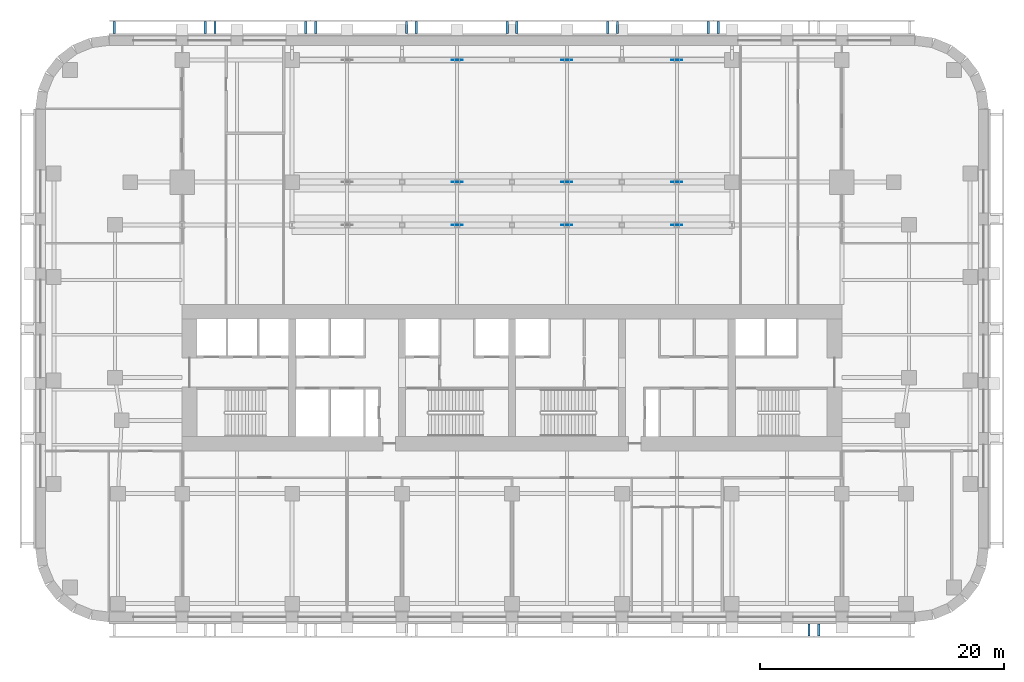
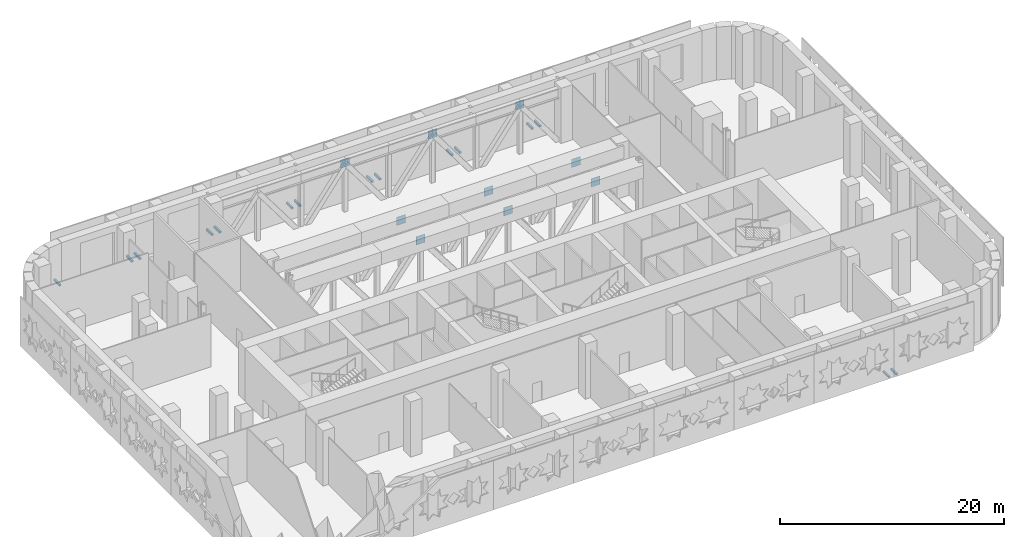
# One storey, part 11 of 15: 24 discrete accessories.
"""IFC4 building model written with IfcOpenShell, lengths in metres."""

from ifc_helpers import new_model, si_unit, direction, frame, origin, origin_2d, place, context, subcontext, project, spatial, rectangle, extrude, material, type_object, element, save


model = new_model("IFC4")

# Units and contexts
model_context = context("Model", 3, precision=1e-05, world=origin(), true_north=direction((0.0, 1.0)))
body_context = subcontext(model_context, "Body", "Model", "MODEL_VIEW")
ifc_project = project(units=[si_unit("LENGTHUNIT", "METRE"), si_unit("AREAUNIT", "SQUARE_METRE"), si_unit("VOLUMEUNIT", "CUBIC_METRE"), si_unit("PLANEANGLEUNIT", "RADIAN"), si_unit("MASSUNIT", "GRAM", prefix="KILO")], contexts=[model_context])

# Site, building, storey
site_placement = place(None, origin())
site = spatial("IfcSite", under=ifc_project, at=site_placement, CompositionType="ELEMENT")
building_placement = place(site_placement, origin())
building = spatial("IfcBuilding", under=site, at=building_placement, Name="Zellij Exchange Tower", CompositionType="ELEMENT")
storey_placement = place(building_placement, frame((0.0, 0.0, 33.0)))
storey = spatial("IfcBuildingStorey", under=building, at=storey_placement, Name="L05", CompositionType="ELEMENT", Elevation=33.0)

# Discrete accessories
ifc_material = material(Name="Stainless steel", Category="steel")
discrete_accessory_type = type_object("IfcDiscreteAccessoryType", Name="ENV-BR1 Stone panel bracket 200", PredefinedType="USERDEFINED", material=ifc_material)
for number, where, z_axis, x_axis, name in (
    (1, (24.310791015625, -28.64990234375, 0.2998046875), (0.0, 0.0, 1.0), (1.0, 0.0, 0.0), "Panel bracket"),
    (2, (25.110595703125, -28.64990234375, 0.2998046875), (0.0, 0.0, 1.0), (1.0, 0.0, 0.0), "Panel bracket"),
    (3, (16.873779296875, 20.64990234375, 0.2998046875), (0.0, 0.0, 1.0), (-1.0, 0.0, 0.0), "Panel bracket"),
    (4, (16.07373046875, 20.64990234375, 0.2998046875), (0.0, 0.0, 1.0), (-1.0, 0.0, 0.0), "Panel bracket"),
    (5, (8.636962890625, 20.64990234375, 0.2998046875), (0.0, 0.0, 1.0), (-1.0, 0.0, 0.0), "Panel bracket"),
    (6, (7.8369140625, 20.64990234375, 0.2998046875), (0.0, 0.0, 1.0), (-1.0, 0.0, 0.0), "Panel bracket"),
    (7, (0.39990234375, 20.64990234375, 0.2998046875), (0.0, 0.0, 1.0), (-1.0, 0.0, 0.0), "Panel bracket"),
    (8, (-0.39990234375, 20.64990234375, 0.2998046875), (0.0, 0.0, 1.0), (-1.0, 0.0, 0.0), "Panel bracket"),
    (9, (-7.8369140625, 20.64990234375, 0.2998046875), (0.0, 0.0, 1.0), (-1.0, 0.0, 0.0), "Panel bracket"),
    (10, (-8.636962890625, 20.64990234375, 0.2998046875), (0.0, 0.0, 1.0), (-1.0, 0.0, 0.0), "Panel bracket"),
    (11, (-16.07373046875, 20.64990234375, 0.2998046875), (0.0, 0.0, 1.0), (-1.0, 0.0, 0.0), "Panel bracket"),
    (12, (-16.873779296875, 20.64990234375, 0.2998046875), (0.0, 0.0, 1.0), (-1.0, 0.0, 0.0), "Panel bracket"),
    (13, (-24.310791015625, 20.64990234375, 0.2998046875), (0.0, 0.0, 1.0), (-1.0, 0.0, 0.0), "Panel bracket"),
    (14, (-25.110595703125, 20.64990234375, 0.2998046875), (0.0, 0.0, 1.0), (-1.0, 0.0, 0.0), "Panel bracket"),
    (15, (-32.547607421875, 20.64990234375, 0.2998046875), (0.0, 0.0, 1.0), (-1.0, 0.0, 0.0), "Panel bracket"),
):
    element("IfcDiscreteAccessory", number, at=place(storey_placement, frame(where, z_axis=z_axis, x_axis=x_axis)), inside=storey, type_object=discrete_accessory_type, Name=name, ObjectType="BRACKET", PredefinedType="USERDEFINED", context=body_context, shape_type="SweptSolid", body=[
        extrude(rectangle(XDim=0.199951171875, YDim=1.0, at=origin_2d()), origin(), (0.0, 0.0, 1.0), 0.199951171875),
    ])
for number, where, z_axis, x_axis, name in (
    (16, (-4.5, 4.5, 4.60009765625), (0.0, 0.0, 1.0), (1.0, 0.0, 0.0), "Gusset plate"),
    (17, (4.5, 4.5, 4.60009765625), (0.0, 0.0, 1.0), (1.0, 0.0, 0.0), "Gusset plate"),
    (18, (13.5, 4.5, 4.60009765625), (0.0, 0.0, 1.0), (1.0, 0.0, 0.0), "Gusset plate"),
    (19, (-4.5, 8.0, 4.60009765625), (0.0, 0.0, 1.0), (1.0, 0.0, 0.0), "Gusset plate"),
    (20, (4.5, 8.0, 4.60009765625), (0.0, 0.0, 1.0), (1.0, 0.0, 0.0), "Gusset plate"),
    (21, (13.5, 8.0, 4.60009765625), (0.0, 0.0, 1.0), (1.0, 0.0, 0.0), "Gusset plate"),
    (22, (-4.5, 18.0, 4.75390625), (0.0, 0.0, 1.0), (1.0, 0.0, 0.0), "Gusset plate"),
    (23, (4.5, 18.0, 4.75390625), (0.0, 0.0, 1.0), (1.0, 0.0, 0.0), "Gusset plate"),
    (24, (13.5, 18.0, 4.75390625), (0.0, 0.0, 1.0), (1.0, 0.0, 0.0), "Gusset plate"),
):
    element("IfcDiscreteAccessory", number, at=place(storey_placement, frame(where, z_axis=z_axis, x_axis=x_axis)), inside=storey, Name=name, PredefinedType="BRACKET", context=body_context, shape_type="SweptSolid", body=[
        extrude(rectangle(XDim=0.89990234375, YDim=0.030029296875, at=origin_2d()), origin(), (0.0, 0.0, 1.0), 0.89990234375),
    ])

save(model, "model.ifc")
